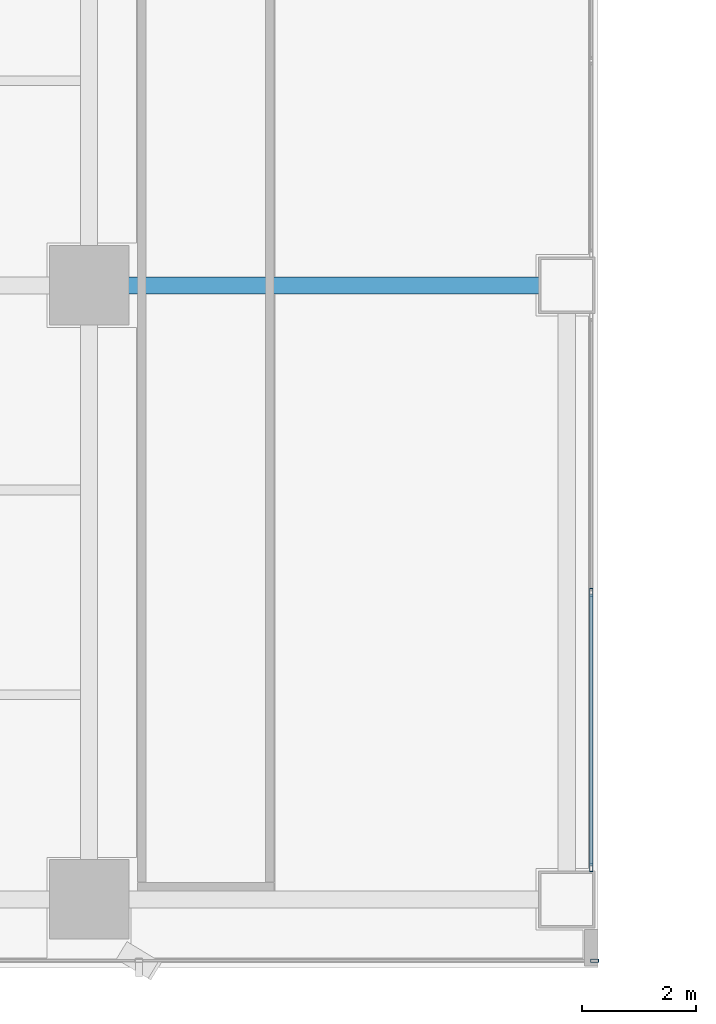
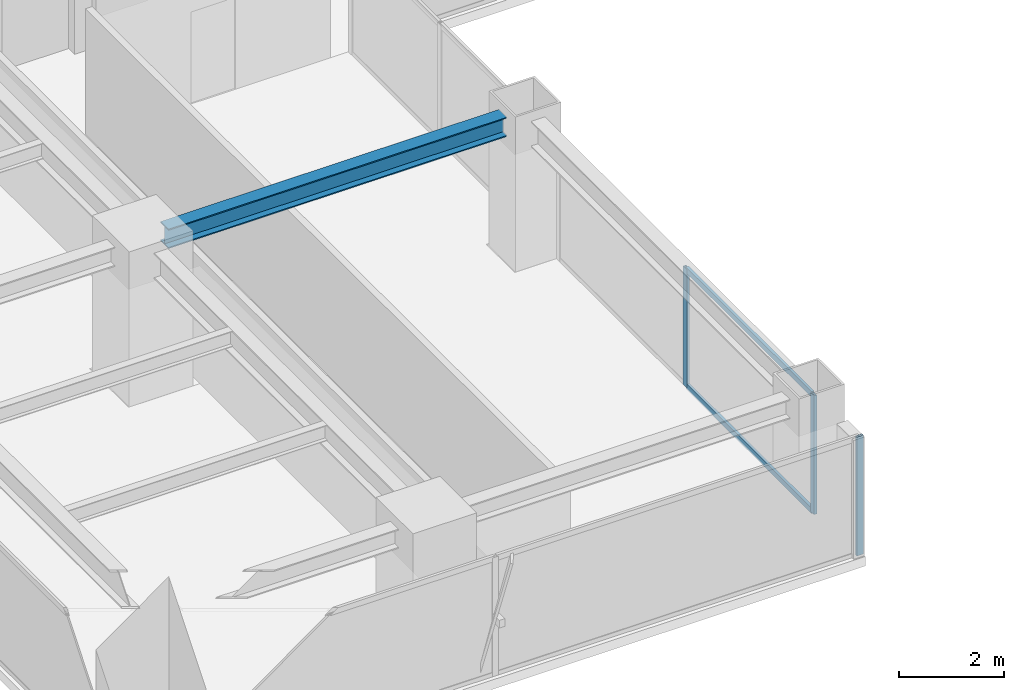
# One storey, part 5 of 29: 5 members, 1 beam, 2 elements without a shape of their own.
"""IFC4 building model written with IfcOpenShell, lengths in metres."""

from ifc_helpers import new_model, si_unit, direction, frame, origin, origin_2d, place, context, subcontext, project, spatial, hollow_rectangle, i_section, extrude, source, transform, mapped, material, layer, layer_set, material_profile, profile_set, type_object, element, aggregate, save


model = new_model("IFC4")

# Units and contexts
model_context = context("Model", 3, precision=1e-05, world=origin(), true_north=direction((0.0, 1.0)))
body_context = subcontext(model_context, "Body", "Model", "MODEL_VIEW")
ifc_project = project(units=[si_unit("LENGTHUNIT", "METRE"), si_unit("AREAUNIT", "SQUARE_METRE"), si_unit("VOLUMEUNIT", "CUBIC_METRE"), si_unit("PLANEANGLEUNIT", "RADIAN"), si_unit("MASSUNIT", "GRAM", prefix="KILO")], contexts=[model_context])

# Site, building, storey
site_placement = place(None, origin())
site = spatial("IfcSite", under=ifc_project, at=site_placement, CompositionType="ELEMENT")
building_placement = place(site_placement, origin())
building = spatial("IfcBuilding", under=site, at=building_placement, Name="Sumidabori Civic Tower", CompositionType="ELEMENT")
storey_placement = place(building_placement, frame((0.0, 0.0, 214.39990234375)))
storey = spatial("IfcBuildingStorey", under=building, at=storey_placement, Name="L55", CompositionType="ELEMENT", Elevation=214.39990234375)

# Beam
ifc_material_1 = material(Name="Steel SN490", Category="steel")
ifc_material_profile_1 = material_profile(ifc_material_1, i_section(OverallWidth=0.300048828125, OverallDepth=0.449951171875, WebThickness=0.013916015625, FlangeThickness=0.02587890625, at=origin_2d()), Name="HE 450 B")
ifc_profile_set_1 = profile_set([ifc_material_profile_1], Name="Steel SN490")
beam_type = type_object("IfcBeamType", Name="BM-GIRD-450", PredefinedType="BEAM", material=ifc_profile_set_1)
shared_shape_1 = source(origin(), body_context, "Body", "SweptSolid", [
    extrude(i_section(OverallWidth=0.300048828125, OverallDepth=0.449951171875, WebThickness=0.013916015625, FlangeThickness=0.02587890625, at=origin_2d()), origin(), (0.0, 0.0, 1.0), 7.440185546875),
])
beam_placement = place(storey_placement, frame((-16.320068359375, 0.0, 3.155029296875), z_axis=(1.0, 0.0, 0.0), x_axis=(0.0, 1.0, 0.0)))
element("IfcBeam", 1, at=beam_placement, inside=storey, type_object=beam_type, Name="Primary Girder L55 GX-06", PredefinedType="BEAM", context=body_context, shape_type="MappedRepresentation", body=[
    mapped(shared_shape_1, transform((0.0, 0.0, 0.0), x_axis=(1.0, 0.0, 0.0), y_axis=(0.0, 1.0, 0.0), z_axis=(0.0, 0.0, 1.0), scale=1.0)),
])

# Curtain wall, member
ifc_material_2 = material(Name="Anodised Bronze Aluminium AW-6063-T6", Category="aluminium")
ifc_layer_1 = layer(ifc_material_2, 0.179931640625, Name="Anodised Bronze Aluminium AW-6063-T6")
ifc_layer_set_1 = layer_set([ifc_layer_1], Name="Anodised Bronze Aluminium AW-6063-T6")
curtain_wall_type_1 = type_object("IfcCurtainWallType", Name="CW-SYS-5", PredefinedType="NOTDEFINED", material=ifc_layer_set_1)
curtain_wall_1_placement = place(storey_placement, origin())
curtain_wall_1 = element("IfcCurtainWall", 2, at=curtain_wall_1_placement, inside=storey, type_object=curtain_wall_type_1, Name="Curtain Wall CW:L55:R01", PredefinedType="NOTDEFINED")
ifc_material_profile_2 = material_profile(ifc_material_2, hollow_rectangle(XDim=0.06005859375, YDim=0.139892578125, WallThickness=0.0048828125, at=origin_2d()), Name="ALU MULLION 140x60")
ifc_profile_set_2 = profile_set([ifc_material_profile_2], Name="Anodised Bronze Aluminium AW-6063-T6")
member_type_1 = type_object("IfcMemberType", Name="CW-MUL-140", PredefinedType="MULLION", material=ifc_profile_set_2)
shared_shape_2 = source(origin(), body_context, "Body", "SweptSolid", [
    extrude(hollow_rectangle(XDim=0.06005859375, YDim=0.139892578125, WallThickness=0.0048828125, at=origin_2d()), origin(), (0.0, 0.0, 1.0), 2.760009765625),
])
member_1_placement = place(storey_placement, frame((-7.909912109375, -11.8798828125, 0.0), z_axis=(0.0, 0.0, 1.0), x_axis=(0.0, 1.0, 0.0)))
member_1 = element("IfcMember", 3, at=member_1_placement, type_object=member_type_1, Name="CW-5 mullion 3", PredefinedType="MULLION", context=body_context, shape_type="MappedRepresentation", body=[
    mapped(shared_shape_2, transform((0.0, 0.0, 0.0), x_axis=(1.0, 0.0, 0.0), y_axis=(0.0, 1.0, 0.0), z_axis=(0.0, 0.0, 1.0), scale=1.0)),
])
aggregate(curtain_wall_1, [member_1])

# Curtain wall, members
ifc_layer_2 = layer(ifc_material_2, 0.179931640625, Name="Anodised Bronze Aluminium AW-6063-T6")
ifc_layer_set_2 = layer_set([ifc_layer_2], Name="Anodised Bronze Aluminium AW-6063-T6")
curtain_wall_type_2 = type_object("IfcCurtainWallType", Name="CW-SYS-4", PredefinedType="NOTDEFINED", material=ifc_layer_set_2)
curtain_wall_2_placement = place(storey_placement, origin())
curtain_wall_2 = element("IfcCurtainWall", 4, at=curtain_wall_2_placement, inside=storey, type_object=curtain_wall_type_2, Name="Curtain Wall CW:L55:R03", PredefinedType="NOTDEFINED")
member_2_placement = place(storey_placement, frame((-7.969970703125, -10.239990234375, 0.0), z_axis=(0.0, 0.0, 1.0), x_axis=(-1.0, 0.0, 0.0)))
member_2 = element("IfcMember", 5, at=member_2_placement, type_object=member_type_1, Name="CW-4 mullion 1", PredefinedType="MULLION", context=body_context, shape_type="MappedRepresentation", body=[
    mapped(shared_shape_2, transform((0.0, 0.0, 0.0), x_axis=(1.0, 0.0, 0.0), y_axis=(0.0, 1.0, 0.0), z_axis=(0.0, 0.0, 1.0), scale=1.0)),
])
member_3_placement = place(storey_placement, frame((-7.969970703125, -5.39990234375, 0.0), z_axis=(0.0, 0.0, 1.0), x_axis=(-1.0, 0.0, 0.0)))
member_3 = element("IfcMember", 6, at=member_3_placement, type_object=member_type_1, Name="CW-4 mullion 2", PredefinedType="MULLION", context=body_context, shape_type="MappedRepresentation", body=[
    mapped(shared_shape_2, transform((0.0, 0.0, 0.0), x_axis=(1.0, 0.0, 0.0), y_axis=(0.0, 1.0, 0.0), z_axis=(0.0, 0.0, 1.0), scale=1.0)),
])
ifc_material_profile_3 = material_profile(ifc_material_2, hollow_rectangle(XDim=0.06005859375, YDim=0.1298828125, WallThickness=0.0048828125, at=origin_2d()), Name="ALU TRANSOM 130x60")
ifc_profile_set_3 = profile_set([ifc_material_profile_3], Name="Anodised Bronze Aluminium AW-6063-T6")
member_type_2 = type_object("IfcMemberType", Name="CW-TRN-130", PredefinedType="USERDEFINED", material=ifc_profile_set_3)
shared_shape_3 = source(origin(), body_context, "Body", "SweptSolid", [
    extrude(hollow_rectangle(XDim=0.06005859375, YDim=0.1298828125, WallThickness=0.0048828125, at=origin_2d()), origin(), (0.0, 0.0, 1.0), 4.780029296875),
])
member_4_placement = place(storey_placement, frame((-7.969970703125, -10.2099609375, 0.030029296875), z_axis=(0.0, 1.0, 0.0), x_axis=(-1.0, 0.0, 0.0)))
member_4 = element("IfcMember", 7, at=member_4_placement, type_object=member_type_2, Name="CW-4 transom 1.1", ObjectType="TRANSOM", PredefinedType="USERDEFINED", context=body_context, shape_type="MappedRepresentation", body=[
    mapped(shared_shape_3, transform((0.0, 0.0, 0.0), x_axis=(1.0, 0.0, 0.0), y_axis=(0.0, 1.0, 0.0), z_axis=(0.0, 0.0, 1.0), scale=1.0)),
])
member_5_placement = place(storey_placement, frame((-7.969970703125, -10.2099609375, 2.72998046875), z_axis=(0.0, 1.0, 0.0), x_axis=(-1.0, 0.0, 0.0)))
member_5 = element("IfcMember", 8, at=member_5_placement, type_object=member_type_2, Name="CW-4 transom 1.2", ObjectType="TRANSOM", PredefinedType="USERDEFINED", context=body_context, shape_type="MappedRepresentation", body=[
    mapped(shared_shape_3, transform((0.0, 0.0, 0.0), x_axis=(1.0, 0.0, 0.0), y_axis=(0.0, 1.0, 0.0), z_axis=(0.0, 0.0, 1.0), scale=1.0)),
])
aggregate(curtain_wall_2, [member_2, member_3, member_4, member_5])

save(model, "model.ifc")
